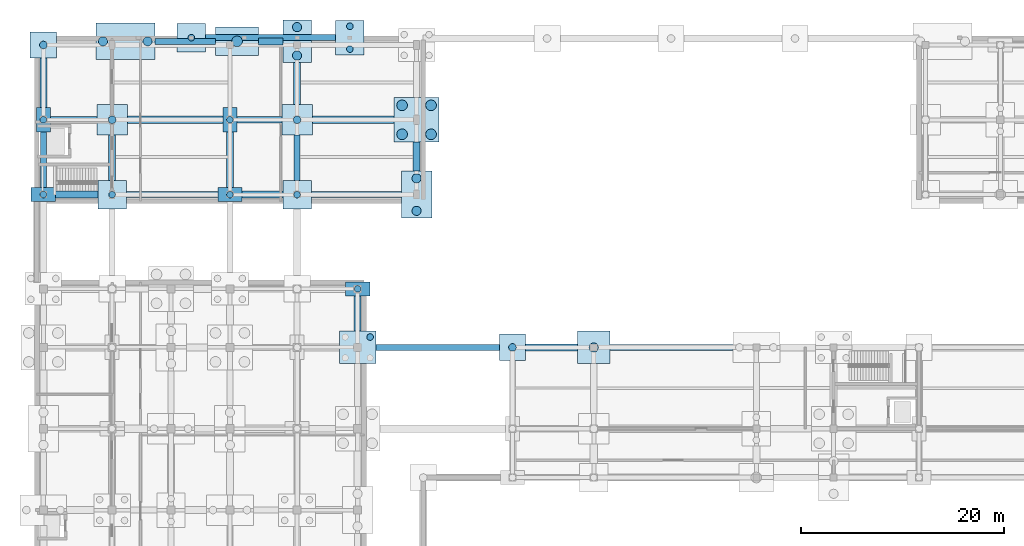
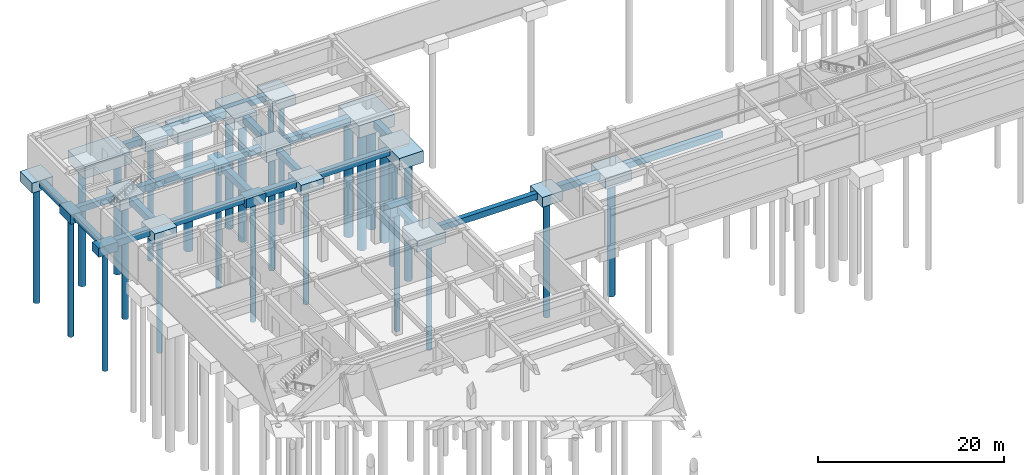
# One storey, part 5 of 35: 42 footings, 27 piles.
"""IFC4 building model written with IfcOpenShell, lengths in metres."""

from ifc_helpers import new_model, si_unit, direction, frame, origin, origin_2d, place, context, subcontext, project, spatial, polyline, rectangle, circle, outline, extrude, material, layer, layer_set, material_profile, profile_set, type_object, element, save


model = new_model("IFC4")

# Units and contexts
model_context = context("Model", 3, precision=1e-05, world=origin(), true_north=direction((0.0, 1.0)))
body_context = subcontext(model_context, "Body", "Model", "MODEL_VIEW")
ifc_project = project(units=[si_unit("LENGTHUNIT", "METRE"), si_unit("AREAUNIT", "SQUARE_METRE"), si_unit("VOLUMEUNIT", "CUBIC_METRE"), si_unit("PLANEANGLEUNIT", "RADIAN"), si_unit("MASSUNIT", "GRAM", prefix="KILO")], contexts=[model_context])

# Site, building, storey
site_placement = place(None, origin())
site = spatial("IfcSite", under=ifc_project, at=site_placement, CompositionType="ELEMENT")
building_placement = place(site_placement, origin())
building = spatial("IfcBuilding", under=site, at=building_placement, Name="Cinchona Park Media Centre", CompositionType="ELEMENT")
storey_placement = place(building_placement, frame((0.0, 0.0, -4.800048828125)))
storey = spatial("IfcBuildingStorey", under=building, at=storey_placement, Name="B1", CompositionType="ELEMENT", Elevation=-4.800048828125)

# Footings
ifc_material_1 = material(Name="Concrete C40/50", Category="concrete")
ifc_layer_1 = layer(ifc_material_1, 0.800048828125)
ifc_layer_set_1 = layer_set([ifc_layer_1], Name="Concrete C40/50")
footing_type_1 = type_object("IfcFootingType", Name="FTG-BEAM-FB01", PredefinedType="FOOTING_BEAM", material=ifc_layer_set_1)
footing_1_placement = place(storey_placement, frame((0.0, 0.0, -1.25)))
element("IfcFooting", 1, at=footing_1_placement, inside=storey, type_object=footing_type_1, Name="Ground Tie Beam FB01", PredefinedType="FOOTING_BEAM", context=body_context, shape_type="SweptSolid", body=[
    extrude(outline(polyline([(41.360107421875, 87.300048828125), (53.5, 87.300048828125), (53.5, 87.89990234375), (41.360107421875, 87.89990234375), (41.360107421875, 87.300048828125)])), origin(), (0.0, 0.0, 1.0), 0.800048828125),
])
footing_2_placement = place(storey_placement, frame((0.0, 0.0, -1.199951171875)))
element("IfcFooting", 2, at=footing_2_placement, inside=storey, type_object=footing_type_1, Name="Ground Tie Beam FB01", PredefinedType="FOOTING_BEAM", context=body_context, shape_type="SweptSolid", body=[
    extrude(outline(polyline([(64.39990234375, 87.300048828125), (76.5, 87.300048828125), (76.5, 87.89990234375), (64.39990234375, 87.89990234375), (64.39990234375, 87.300048828125)])), origin(), (0.0, 0.0, 1.0), 0.800048828125),
])
footing_3_placement = place(storey_placement, frame((0.0, 0.0, -1.224853515625)))
element("IfcFooting", 3, at=footing_3_placement, inside=storey, type_object=footing_type_1, Name="Ground Tie Beam FB01", PredefinedType="FOOTING_BEAM", context=body_context, shape_type="SweptSolid", body=[
    extrude(outline(polyline([(16.800048828125, 102.340087890625), (25.800048828125, 102.340087890625), (25.800048828125, 102.93994140625), (16.800048828125, 102.93994140625), (16.800048828125, 102.340087890625)])), origin(), (0.0, 0.0, 1.0), 0.7998046875),
])
footing_4_placement = place(storey_placement, frame((0.0, 0.0, -1.224853515625)))
element("IfcFooting", 4, at=footing_4_placement, inside=storey, type_object=footing_type_1, Name="Ground Tie Beam FB01", PredefinedType="FOOTING_BEAM", context=body_context, shape_type="SweptSolid", body=[
    extrude(outline(polyline([(35.0, 102.340087890625), (43.860107421875, 102.340087890625), (43.860107421875, 102.93994140625), (35.0, 102.93994140625), (35.0, 102.340087890625)])), origin(), (0.0, 0.0, 1.0), 0.7998046875),
])
footing_5_placement = place(storey_placement, frame((0.0, 0.0, -1.224853515625)))
element("IfcFooting", 5, at=footing_5_placement, inside=storey, type_object=footing_type_1, Name="Ground Tie Beam FB01", PredefinedType="FOOTING_BEAM", context=body_context, shape_type="SweptSolid", body=[
    extrude(outline(polyline([(9.340087890625, 109.699951171875), (13.89990234375, 109.699951171875), (13.89990234375, 110.300048828125), (9.340087890625, 110.300048828125), (9.340087890625, 109.699951171875)])), origin(), (0.0, 0.0, 1.0), 0.7998046875),
])
footing_6_placement = place(storey_placement, frame((0.0, 0.0, -1.224853515625)))
element("IfcFooting", 6, at=footing_6_placement, inside=storey, type_object=footing_type_1, Name="Ground Tie Beam FB01", PredefinedType="FOOTING_BEAM", context=body_context, shape_type="SweptSolid", body=[
    extrude(outline(polyline([(27.699951171875, 109.699951171875), (32.10009765625, 109.699951171875), (32.10009765625, 110.300048828125), (27.699951171875, 110.300048828125), (27.699951171875, 109.699951171875)])), origin(), (0.0, 0.0, 1.0), 0.7998046875),
])
footing_7_placement = place(storey_placement, frame((0.0, 0.0, -1.224853515625)))
element("IfcFooting", 7, at=footing_7_placement, inside=storey, type_object=footing_type_1, Name="Ground Tie Beam FB01", PredefinedType="FOOTING_BEAM", context=body_context, shape_type="SweptSolid", body=[
    extrude(outline(polyline([(19.60009765625, 117.419921875), (25.60009765625, 117.419921875), (25.60009765625, 118.02001953125), (19.60009765625, 118.02001953125), (19.60009765625, 117.419921875)])), origin(), (0.0, 0.0, 1.0), 0.7998046875),
])
footing_8_placement = place(storey_placement, frame((0.0, 0.0, -1.224853515625)))
element("IfcFooting", 8, at=footing_8_placement, inside=storey, type_object=footing_type_1, Name="Ground Tie Beam FB01", PredefinedType="FOOTING_BEAM", context=body_context, shape_type="SweptSolid", body=[
    extrude(outline(polyline([(24.60009765625, 117.780029296875), (37.39990234375, 117.780029296875), (37.39990234375, 118.3798828125), (24.60009765625, 118.3798828125), (24.60009765625, 117.780029296875)])), origin(), (0.0, 0.0, 1.0), 0.7998046875),
])
footing_9_placement = place(storey_placement, frame((0.0, 0.0, -1.224853515625)))
element("IfcFooting", 9, at=footing_9_placement, inside=storey, type_object=footing_type_1, Name="Ground Tie Beam FB01", PredefinedType="FOOTING_BEAM", context=body_context, shape_type="SweptSolid", body=[
    extrude(outline(polyline([(8.340087890625, 103.340087890625), (8.93994140625, 103.340087890625), (8.93994140625, 108.800048828125), (8.340087890625, 108.800048828125), (8.340087890625, 103.340087890625)])), origin(), (0.0, 0.0, 1.0), 0.7998046875),
])
footing_10_placement = place(storey_placement, frame((0.0, 0.0, -1.224853515625)))
element("IfcFooting", 10, at=footing_10_placement, inside=storey, type_object=footing_type_1, Name="Ground Tie Beam FB01", PredefinedType="FOOTING_BEAM", context=body_context, shape_type="SweptSolid", body=[
    extrude(outline(polyline([(33.300048828125, 104.0400390625), (33.89990234375, 104.0400390625), (33.89990234375, 108.5), (33.300048828125, 108.5), (33.300048828125, 104.0400390625)])), origin(), (0.0, 0.0, 1.0), 0.7998046875),
])
ifc_material_2 = material(Name="Concrete C40/50", Category="concrete")
ifc_layer_2 = layer(ifc_material_2, 0.89990234375)
ifc_layer_set_2 = layer_set([ifc_layer_2], Name="Concrete C40/50")
footing_type_2 = type_object("IfcFootingType", Name="FTG-BEAM-FB02", PredefinedType="FOOTING_BEAM", material=ifc_layer_set_2)
footing_11_placement = place(storey_placement, frame((0.0, 0.0, -1.300048828125)))
element("IfcFooting", 11, at=footing_11_placement, inside=storey, type_object=footing_type_2, Name="Ground Tie Beam FB02", PredefinedType="FOOTING_BEAM", context=body_context, shape_type="SweptSolid", body=[
    extrude(outline(polyline([(56.10009765625, 87.25), (61.199951171875, 87.25), (61.199951171875, 87.949951171875), (56.10009765625, 87.949951171875), (56.10009765625, 87.25)])), origin(), (0.0, 0.0, 1.0), 0.900146484375),
])
footing_12_placement = place(storey_placement, frame((0.0, 0.0, -1.324951171875)))
element("IfcFooting", 12, at=footing_12_placement, inside=storey, type_object=footing_type_2, Name="Ground Tie Beam FB02", PredefinedType="FOOTING_BEAM", context=body_context, shape_type="SweptSolid", body=[
    extrude(outline(polyline([(9.840087890625, 102.2900390625), (14.0, 102.2900390625), (14.0, 102.989990234375), (9.840087890625, 102.989990234375), (9.840087890625, 102.2900390625)])), origin(), (0.0, 0.0, 1.0), 0.89990234375),
])
footing_13_placement = place(storey_placement, frame((0.0, 0.0, -1.324951171875)))
element("IfcFooting", 13, at=footing_13_placement, inside=storey, type_object=footing_type_2, Name="Ground Tie Beam FB02", PredefinedType="FOOTING_BEAM", context=body_context, shape_type="SweptSolid", body=[
    extrude(outline(polyline([(28.199951171875, 102.2900390625), (32.199951171875, 102.2900390625), (32.199951171875, 102.989990234375), (28.199951171875, 102.989990234375), (28.199951171875, 102.2900390625)])), origin(), (0.0, 0.0, 1.0), 0.89990234375),
])
footing_14_placement = place(storey_placement, frame((0.0, 0.0, -1.324951171875)))
element("IfcFooting", 14, at=footing_14_placement, inside=storey, type_object=footing_type_2, Name="Ground Tie Beam FB02", PredefinedType="FOOTING_BEAM", context=body_context, shape_type="SweptSolid", body=[
    extrude(outline(polyline([(16.89990234375, 109.64990234375), (26.300048828125, 109.64990234375), (26.300048828125, 110.35009765625), (16.89990234375, 110.35009765625), (16.89990234375, 109.64990234375)])), origin(), (0.0, 0.0, 1.0), 0.89990234375),
])
footing_15_placement = place(storey_placement, frame((0.0, 0.0, -1.324951171875)))
element("IfcFooting", 15, at=footing_15_placement, inside=storey, type_object=footing_type_2, Name="Ground Tie Beam FB02", PredefinedType="FOOTING_BEAM", context=body_context, shape_type="SweptSolid", body=[
    extrude(outline(polyline([(35.10009765625, 109.64990234375), (43.159912109375, 109.64990234375), (43.159912109375, 110.35009765625), (35.10009765625, 110.35009765625), (35.10009765625, 109.64990234375)])), origin(), (0.0, 0.0, 1.0), 0.89990234375),
])
footing_16_placement = place(storey_placement, frame((0.0, 0.0, -1.324951171875)))
element("IfcFooting", 16, at=footing_16_placement, inside=storey, type_object=footing_type_2, Name="Ground Tie Beam FB02", PredefinedType="FOOTING_BEAM", context=body_context, shape_type="SweptSolid", body=[
    extrude(outline(polyline([(29.800048828125, 117.3701171875), (32.199951171875, 117.3701171875), (32.199951171875, 118.070068359375), (29.800048828125, 118.070068359375), (29.800048828125, 117.3701171875)])), origin(), (0.0, 0.0, 1.0), 0.89990234375),
])
footing_17_placement = place(storey_placement, frame((0.0, 0.0, -1.324951171875)))
element("IfcFooting", 17, at=footing_17_placement, inside=storey, type_object=footing_type_2, Name="Ground Tie Beam FB02", PredefinedType="FOOTING_BEAM", context=body_context, shape_type="SweptSolid", body=[
    extrude(outline(polyline([(8.2900390625, 111.199951171875), (8.989990234375, 111.199951171875), (8.989990234375, 116.06005859375), (8.2900390625, 116.06005859375), (8.2900390625, 111.199951171875)])), origin(), (0.0, 0.0, 1.0), 0.89990234375),
])
footing_18_placement = place(storey_placement, frame((0.0, 0.0, -1.324951171875)))
element("IfcFooting", 18, at=footing_18_placement, inside=storey, type_object=footing_type_2, Name="Ground Tie Beam FB02", PredefinedType="FOOTING_BEAM", context=body_context, shape_type="SweptSolid", body=[
    extrude(outline(polyline([(15.050048828125, 104.0400390625), (15.75, 104.0400390625), (15.75, 108.5), (15.050048828125, 108.5), (15.050048828125, 104.0400390625)])), origin(), (0.0, 0.0, 1.0), 0.89990234375),
])
footing_19_placement = place(storey_placement, frame((0.0, 0.0, -1.324951171875)))
element("IfcFooting", 19, at=footing_19_placement, inside=storey, type_object=footing_type_2, Name="Ground Tie Beam FB02", PredefinedType="FOOTING_BEAM", context=body_context, shape_type="SweptSolid", body=[
    extrude(outline(polyline([(26.64990234375, 103.340087890625), (27.35009765625, 103.340087890625), (27.35009765625, 108.800048828125), (26.64990234375, 108.800048828125), (26.64990234375, 103.340087890625)])), origin(), (0.0, 0.0, 1.0), 0.89990234375),
])
footing_20_placement = place(storey_placement, frame((0.0, 0.0, -1.324951171875)))
element("IfcFooting", 20, at=footing_20_placement, inside=storey, type_object=footing_type_2, Name="Ground Tie Beam FB02", PredefinedType="FOOTING_BEAM", context=body_context, shape_type="SweptSolid", body=[
    extrude(outline(polyline([(33.25, 111.5), (33.949951171875, 111.5), (33.949951171875, 115.6201171875), (33.25, 115.6201171875), (33.25, 111.5)])), origin(), (0.0, 0.0, 1.0), 0.89990234375),
])
footing_21_placement = place(storey_placement, frame((0.0, 0.0, -1.349853515625)))
element("IfcFooting", 21, at=footing_21_placement, inside=storey, type_object=footing_type_2, Name="Ground Tie Beam FB02", PredefinedType="FOOTING_BEAM", context=body_context, shape_type="SweptSolid", body=[
    extrude(outline(polyline([(39.2099609375, 89.199951171875), (39.909912109375, 89.199951171875), (39.909912109375, 92.659912109375), (39.2099609375, 92.659912109375), (39.2099609375, 89.199951171875)])), origin(), (0.0, 0.0, 1.0), 0.89990234375),
])
footing_22_placement = place(storey_placement, frame((0.0, 0.0, -1.324951171875)))
element("IfcFooting", 22, at=footing_22_placement, inside=storey, type_object=footing_type_2, Name="Ground Tie Beam FB02", PredefinedType="FOOTING_BEAM", context=body_context, shape_type="SweptSolid", body=[
    extrude(outline(polyline([(45.010009765625, 104.93994140625), (45.7099609375, 104.93994140625), (45.7099609375, 107.800048828125), (45.010009765625, 107.800048828125), (45.010009765625, 104.93994140625)])), origin(), (0.0, 0.0, 1.0), 0.89990234375),
])

# Piles
ifc_material_3 = material(Name="Concrete C40/50", Category="concrete")
ifc_material_profile_1 = material_profile(ifc_material_3, circle(Radius=0.52490234375, at=origin_2d()), Name="BORED PILE 1050")
ifc_profile_set_1 = profile_set([ifc_material_profile_1], Name="Concrete C40/50")
pile_type_1 = type_object("IfcPileType", Name="PILE-BP1050", PredefinedType="BORED", material=ifc_profile_set_1)
pile_1_placement = place(storey_placement, frame((27.699951171875, 117.719970703125, -1.824951171875), z_axis=(0.0, 0.0, -1.0), x_axis=(1.0, 0.0, 0.0)))
element("IfcPile", 23, at=pile_1_placement, inside=storey, type_object=pile_type_1, Name="Bored Pile P1050", PredefinedType="BORED", context=body_context, shape_type="SweptSolid", body=[
    extrude(circle(Radius=0.52490234375, at=origin_2d()), origin(), (0.0, 0.0, 1.0), 15.375),
])
for number, where, z_axis, x_axis, name in (
    (24, (43.93505859375, 108.574951171875, -1.925048828125), (0.0, 0.0, -1.0), (1.0, 0.0, 0.0), "Bored Pile P1050"),
    (25, (43.93505859375, 111.425048828125, -1.925048828125), (0.0, 0.0, -1.0), (1.0, 0.0, 0.0), "Bored Pile P1050"),
    (26, (46.784912109375, 108.574951171875, -1.925048828125), (0.0, 0.0, -1.0), (1.0, 0.0, 0.0), "Bored Pile P1050"),
    (27, (46.784912109375, 111.425048828125, -1.925048828125), (0.0, 0.0, -1.0), (1.0, 0.0, 0.0), "Bored Pile P1050"),
):
    element("IfcPile", number, at=place(storey_placement, frame(where, z_axis=z_axis, x_axis=x_axis)), inside=storey, type_object=pile_type_1, Name=name, PredefinedType="BORED", context=body_context, shape_type="SweptSolid", body=[
        extrude(circle(Radius=0.52490234375, at=origin_2d()), origin(), (0.0, 0.0, 1.0), 15.27490234375),
    ])
ifc_material_4 = material(Name="Concrete C40/50", Category="concrete")
ifc_material_profile_2 = material_profile(ifc_material_4, circle(Radius=0.324951171875, at=origin_2d()), Name="BORED PILE 650")
ifc_profile_set_2 = profile_set([ifc_material_profile_2], Name="Concrete C40/50")
pile_type_2 = type_object("IfcPileType", Name="PILE-BP650", PredefinedType="BORED", material=ifc_profile_set_2)
for number, where, z_axis, x_axis, name in (
    (28, (8.639892578125, 102.639892578125, -1.52490234375), (0.0, 0.0, -1.0), (1.0, 0.0, 0.0), "Bored Pile P650"),
    (29, (8.639892578125, 110.0, -1.52490234375), (0.0, 0.0, -1.0), (1.0, 0.0, 0.0), "Bored Pile P650"),
):
    element("IfcPile", number, at=place(storey_placement, frame(where, z_axis=z_axis, x_axis=x_axis)), inside=storey, type_object=pile_type_2, Name=name, PredefinedType="BORED", context=body_context, shape_type="SweptSolid", body=[
        extrude(circle(Radius=0.324951171875, at=origin_2d()), origin(), (0.0, 0.0, 1.0), 15.675048828125),
    ])
for number, where, z_axis, x_axis, name in (
    (30, (15.39990234375, 102.639892578125, -1.675048828125), (0.0, 0.0, -1.0), (1.0, 0.0, 0.0), "Bored Pile P650"),
    (31, (23.199951171875, 118.080078125, -1.675048828125), (0.0, 0.0, -1.0), (1.0, 0.0, 0.0), "Bored Pile P650"),
):
    element("IfcPile", number, at=place(storey_placement, frame(where, z_axis=z_axis, x_axis=x_axis)), inside=storey, type_object=pile_type_2, Name=name, PredefinedType="BORED", context=body_context, shape_type="SweptSolid", body=[
        extrude(circle(Radius=0.324951171875, at=origin_2d()), origin(), (0.0, 0.0, 1.0), 15.52490234375),
    ])
for number, where, z_axis, x_axis, name in (
    (32, (27.0, 102.639892578125, -1.52490234375), (0.0, 0.0, -1.0), (1.0, 0.0, 0.0), "Bored Pile P650"),
    (33, (27.0, 110.0, -1.52490234375), (0.0, 0.0, -1.0), (1.0, 0.0, 0.0), "Bored Pile P650"),
):
    element("IfcPile", number, at=place(storey_placement, frame(where, z_axis=z_axis, x_axis=x_axis)), inside=storey, type_object=pile_type_2, Name=name, PredefinedType="BORED", context=body_context, shape_type="SweptSolid", body=[
        extrude(circle(Radius=0.324951171875, at=origin_2d()), origin(), (0.0, 0.0, 1.0), 15.675048828125),
    ])
pile_2_placement = place(storey_placement, frame((33.60009765625, 102.639892578125, -1.675048828125), z_axis=(0.0, 0.0, -1.0), x_axis=(1.0, 0.0, 0.0)))
element("IfcPile", 34, at=pile_2_placement, inside=storey, type_object=pile_type_2, Name="Bored Pile P650", PredefinedType="BORED", context=body_context, shape_type="SweptSolid", body=[
    extrude(circle(Radius=0.324951171875, at=origin_2d()), origin(), (0.0, 0.0, 1.0), 15.52490234375),
])
for number, where, z_axis, x_axis, name in (
    (35, (38.800048828125, 116.955078125, -1.724853515625), (0.0, 0.0, -1.0), (1.0, 0.0, 0.0), "Bored Pile P650"),
    (36, (38.800048828125, 119.205078125, -1.724853515625), (0.0, 0.0, -1.0), (1.0, 0.0, 0.0), "Bored Pile P650"),
):
    element("IfcPile", number, at=place(storey_placement, frame(where, z_axis=z_axis, x_axis=x_axis)), inside=storey, type_object=pile_type_2, Name=name, PredefinedType="BORED", context=body_context, shape_type="SweptSolid", body=[
        extrude(circle(Radius=0.324951171875, at=origin_2d()), origin(), (0.0, 0.0, 1.0), 15.47509765625),
    ])
pile_3_placement = place(storey_placement, frame((40.784912109375, 88.625, -1.829833984375), z_axis=(0.0, 0.0, -1.0), x_axis=(1.0, 0.0, 0.0)))
element("IfcPile", 37, at=pile_3_placement, inside=storey, type_object=pile_type_2, Name="Bored Pile P650", PredefinedType="BORED", context=body_context, shape_type="SweptSolid", body=[
    extrude(circle(Radius=0.324951171875, at=origin_2d()), origin(), (0.0, 0.0, 1.0), 15.3701171875),
])
pile_4_placement = place(storey_placement, frame((39.56005859375, 93.360107421875, -1.550048828125), z_axis=(0.0, 0.0, -1.0), x_axis=(1.0, 0.0, 0.0)))
element("IfcPile", 38, at=pile_4_placement, inside=storey, type_object=pile_type_2, Name="Bored Pile P650", PredefinedType="BORED", context=body_context, shape_type="SweptSolid", body=[
    extrude(circle(Radius=0.324951171875, at=origin_2d()), origin(), (0.0, 0.0, 1.0), 15.64990234375),
])
ifc_material_5 = material(Name="Concrete C40/50", Category="concrete")
ifc_material_profile_3 = material_profile(ifc_material_5, circle(Radius=0.375, at=origin_2d()), Name="BORED PILE 750")
ifc_profile_set_3 = profile_set([ifc_material_profile_3], Name="Concrete C40/50")
pile_type_3 = type_object("IfcPileType", Name="PILE-BP750", PredefinedType="BORED", material=ifc_profile_set_3)
pile_5_placement = place(storey_placement, frame((8.639892578125, 117.360107421875, -1.625), z_axis=(0.0, 0.0, -1.0), x_axis=(1.0, 0.0, 0.0)))
element("IfcPile", 39, at=pile_5_placement, inside=storey, type_object=pile_type_3, Name="Bored Pile P750", PredefinedType="BORED", context=body_context, shape_type="SweptSolid", body=[
    extrude(circle(Radius=0.375, at=origin_2d()), origin(), (0.0, 0.0, 1.0), 15.574951171875),
])
for number, where, z_axis, x_axis, name in (
    (40, (15.39990234375, 110.0, -1.724853515625), (0.0, 0.0, -1.0), (1.0, 0.0, 0.0), "Bored Pile P750"),
    (41, (33.60009765625, 110.0, -1.724853515625), (0.0, 0.0, -1.0), (1.0, 0.0, 0.0), "Bored Pile P750"),
):
    element("IfcPile", number, at=place(storey_placement, frame(where, z_axis=z_axis, x_axis=x_axis)), inside=storey, type_object=pile_type_3, Name=name, PredefinedType="BORED", context=body_context, shape_type="SweptSolid", body=[
        extrude(circle(Radius=0.375, at=origin_2d()), origin(), (0.0, 0.0, 1.0), 15.47509765625),
    ])
pile_6_placement = place(storey_placement, frame((54.800048828125, 87.60009765625, -1.599853515625), z_axis=(0.0, 0.0, -1.0), x_axis=(1.0, 0.0, 0.0)))
element("IfcPile", 42, at=pile_6_placement, inside=storey, type_object=pile_type_3, Name="Bored Pile P750", PredefinedType="BORED", context=body_context, shape_type="SweptSolid", body=[
    extrude(circle(Radius=0.375, at=origin_2d()), origin(), (0.0, 0.0, 1.0), 15.60009765625),
])
ifc_material_6 = material(Name="Concrete C40/50", Category="concrete")
ifc_material_profile_4 = material_profile(ifc_material_6, circle(Radius=0.449951171875, at=origin_2d()), Name="BORED PILE 900")
ifc_profile_set_4 = profile_set([ifc_material_profile_4], Name="Concrete C40/50")
pile_type_4 = type_object("IfcPileType", Name="PILE-BP900", PredefinedType="BORED", material=ifc_profile_set_4)
for number, where, z_axis, x_axis, name in (
    (43, (14.5, 117.719970703125, -1.925048828125), (0.0, 0.0, -1.0), (1.0, 0.0, 0.0), "Bored Pile P900"),
    (44, (18.89990234375, 117.719970703125, -1.925048828125), (0.0, 0.0, -1.0), (1.0, 0.0, 0.0), "Bored Pile P900"),
):
    element("IfcPile", number, at=place(storey_placement, frame(where, z_axis=z_axis, x_axis=x_axis)), inside=storey, type_object=pile_type_4, Name=name, PredefinedType="BORED", context=body_context, shape_type="SweptSolid", body=[
        extrude(circle(Radius=0.449951171875, at=origin_2d()), origin(), (0.0, 0.0, 1.0), 15.27490234375),
    ])
for number, where, z_axis, x_axis, name in (
    (45, (33.60009765625, 116.320068359375, -1.824951171875), (0.0, 0.0, -1.0), (1.0, 0.0, 0.0), "Bored Pile P900"),
    (46, (33.60009765625, 119.1201171875, -1.824951171875), (0.0, 0.0, -1.0), (1.0, 0.0, 0.0), "Bored Pile P900"),
):
    element("IfcPile", number, at=place(storey_placement, frame(where, z_axis=z_axis, x_axis=x_axis)), inside=storey, type_object=pile_type_4, Name=name, PredefinedType="BORED", context=body_context, shape_type="SweptSolid", body=[
        extrude(circle(Radius=0.449951171875, at=origin_2d()), origin(), (0.0, 0.0, 1.0), 15.375),
    ])
for number, where, z_axis, x_axis, name in (
    (47, (45.360107421875, 101.0400390625, -1.875), (0.0, 0.0, -1.0), (1.0, 0.0, 0.0), "Bored Pile P900"),
    (48, (45.360107421875, 104.239990234375, -1.875), (0.0, 0.0, -1.0), (1.0, 0.0, 0.0), "Bored Pile P900"),
):
    element("IfcPile", number, at=place(storey_placement, frame(where, z_axis=z_axis, x_axis=x_axis)), inside=storey, type_object=pile_type_4, Name=name, PredefinedType="BORED", context=body_context, shape_type="SweptSolid", body=[
        extrude(circle(Radius=0.449951171875, at=origin_2d()), origin(), (0.0, 0.0, 1.0), 15.324951171875),
    ])
pile_7_placement = place(storey_placement, frame((62.800048828125, 87.60009765625, -1.75), z_axis=(0.0, 0.0, -1.0), x_axis=(1.0, 0.0, 0.0)))
element("IfcPile", 49, at=pile_7_placement, inside=storey, type_object=pile_type_4, Name="Bored Pile P900", PredefinedType="BORED", context=body_context, shape_type="SweptSolid", body=[
    extrude(circle(Radius=0.449951171875, at=origin_2d()), origin(), (0.0, 0.0, 1.0), 15.449951171875),
])

# Footings
ifc_material_7 = material(Name="Concrete C40/50", Category="concrete")
ifc_layer_3 = layer(ifc_material_7, 1.199951171875)
ifc_layer_set_3 = layer_set([ifc_layer_3], Name="Concrete C40/50")
footing_type_3 = type_object("IfcFootingType", Name="PILE-CAP-PC01", PredefinedType="PILE_CAP", material=ifc_layer_set_3)
for number, where, z_axis, x_axis, name in (
    (50, (8.639892578125, 102.639892578125, -1.625), (0.0, 0.0, 1.0), (1.0, 0.0, 0.0), "Pile Cap PC01"),
    (51, (27.0, 102.639892578125, -1.625), (0.0, 0.0, 1.0), (1.0, 0.0, 0.0), "Pile Cap PC01"),
    (52, (39.56005859375, 93.360107421875, -1.64990234375), (0.0, 0.0, 1.0), (1.0, 0.0, 0.0), "Pile Cap PC01"),
):
    element("IfcFooting", number, at=place(storey_placement, frame(where, z_axis=z_axis, x_axis=x_axis)), inside=storey, type_object=footing_type_3, Name=name, PredefinedType="PILE_CAP", context=body_context, shape_type="SweptSolid", body=[
        extrude(rectangle(XDim=2.39990234375, YDim=1.39990234375, at=origin_2d()), origin(), (0.0, 0.0, 1.0), 1.199951171875),
    ])
ifc_material_8 = material(Name="Concrete C40/50", Category="concrete")
ifc_layer_4 = layer(ifc_material_8, 1.199951171875)
ifc_layer_set_4 = layer_set([ifc_layer_4], Name="Concrete C40/50")
footing_type_4 = type_object("IfcFootingType", Name="PILE-CAP-PC02", PredefinedType="PILE_CAP", material=ifc_layer_set_4)
for number, where, z_axis, x_axis, name in (
    (53, (8.639892578125, 110.0, -1.625), (0.0, 0.0, 1.0), (1.0, 0.0, 0.0), "Pile Cap PC02"),
    (54, (27.0, 110.0, -1.625), (0.0, 0.0, 1.0), (1.0, 0.0, 0.0), "Pile Cap PC02"),
):
    element("IfcFooting", number, at=place(storey_placement, frame(where, z_axis=z_axis, x_axis=x_axis)), inside=storey, type_object=footing_type_4, Name=name, PredefinedType="PILE_CAP", context=body_context, shape_type="SweptSolid", body=[
        extrude(rectangle(XDim=1.39990234375, YDim=2.39990234375, at=origin_2d()), origin(), (0.0, 0.0, 1.0), 1.199951171875),
    ])
ifc_material_9 = material(Name="Concrete C40/50", Category="concrete")
ifc_layer_5 = layer(ifc_material_9, 1.300048828125)
ifc_layer_set_5 = layer_set([ifc_layer_5], Name="Concrete C40/50")
footing_type_5 = type_object("IfcFootingType", Name="PILE-CAP-PC03", PredefinedType="PILE_CAP", material=ifc_layer_set_5)
for number, where, z_axis, x_axis, name in (
    (55, (8.639892578125, 117.360107421875, -1.72509765625), (0.0, 0.0, 1.0), (1.0, 0.0, 0.0), "Pile Cap PC03"),
    (56, (54.800048828125, 87.60009765625, -1.7001953125), (0.0, 0.0, 1.0), (1.0, 0.0, 0.0), "Pile Cap PC03"),
):
    element("IfcFooting", number, at=place(storey_placement, frame(where, z_axis=z_axis, x_axis=x_axis)), inside=storey, type_object=footing_type_5, Name=name, PredefinedType="PILE_CAP", context=body_context, shape_type="SweptSolid", body=[
        extrude(rectangle(XDim=2.60009765625, YDim=2.60009765625, at=origin_2d()), origin(), (0.0, 0.0, 1.0), 1.300048828125),
    ])
ifc_material_10 = material(Name="Concrete C40/50", Category="concrete")
ifc_layer_6 = layer(ifc_material_10, 1.35009765625)
ifc_layer_set_6 = layer_set([ifc_layer_6], Name="Concrete C40/50")
footing_type_6 = type_object("IfcFootingType", Name="PILE-CAP-PC04", PredefinedType="PILE_CAP", material=ifc_layer_set_6)
for number, where, z_axis, x_axis, name in (
    (57, (15.39990234375, 102.639892578125, -1.77490234375), (0.0, 0.0, 1.0), (1.0, 0.0, 0.0), "Pile Cap PC04"),
    (58, (23.199951171875, 118.080078125, -1.77490234375), (0.0, 0.0, 1.0), (1.0, 0.0, 0.0), "Pile Cap PC04"),
    (59, (33.60009765625, 102.639892578125, -1.77490234375), (0.0, 0.0, 1.0), (1.0, 0.0, 0.0), "Pile Cap PC04"),
):
    element("IfcFooting", number, at=place(storey_placement, frame(where, z_axis=z_axis, x_axis=x_axis)), inside=storey, type_object=footing_type_6, Name=name, PredefinedType="PILE_CAP", context=body_context, shape_type="SweptSolid", body=[
        extrude(rectangle(XDim=2.800048828125, YDim=2.800048828125, at=origin_2d()), origin(), (0.0, 0.0, 1.0), 1.35009765625),
    ])
ifc_material_11 = material(Name="Concrete C40/50", Category="concrete")
ifc_layer_7 = layer(ifc_material_11, 1.39990234375)
ifc_layer_set_7 = layer_set([ifc_layer_7], Name="Concrete C40/50")
footing_type_7 = type_object("IfcFootingType", Name="PILE-CAP-PC05", PredefinedType="PILE_CAP", material=ifc_layer_set_7)
for number, where, z_axis, x_axis, name in (
    (60, (15.39990234375, 110.0, -1.824951171875), (0.0, 0.0, 1.0), (1.0, 0.0, 0.0), "Pile Cap PC05"),
    (61, (33.60009765625, 110.0, -1.824951171875), (0.0, 0.0, 1.0), (1.0, 0.0, 0.0), "Pile Cap PC05"),
):
    element("IfcFooting", number, at=place(storey_placement, frame(where, z_axis=z_axis, x_axis=x_axis)), inside=storey, type_object=footing_type_7, Name=name, PredefinedType="PILE_CAP", context=body_context, shape_type="SweptSolid", body=[
        extrude(rectangle(XDim=3.0, YDim=3.0, at=origin_2d()), origin(), (0.0, 0.0, 1.0), 1.39990234375),
    ])
ifc_material_12 = material(Name="Concrete C40/50", Category="concrete")
ifc_layer_8 = layer(ifc_material_12, 1.449951171875)
ifc_layer_set_8 = layer_set([ifc_layer_8], Name="Concrete C40/50")
footing_type_8 = type_object("IfcFootingType", Name="PILE-CAP-PC06", PredefinedType="PILE_CAP", material=ifc_layer_set_8)
footing_23_placement = place(storey_placement, frame((62.800048828125, 87.60009765625, -1.85009765625), z_axis=(0.0, 0.0, 1.0), x_axis=(1.0, 0.0, 0.0)))
element("IfcFooting", 62, at=footing_23_placement, inside=storey, type_object=footing_type_8, Name="Pile Cap PC06", PredefinedType="PILE_CAP", context=body_context, shape_type="SweptSolid", body=[
    extrude(rectangle(XDim=3.199951171875, YDim=3.199951171875, at=origin_2d()), origin(), (0.0, 0.0, 1.0), 1.449951171875),
])
ifc_material_13 = material(Name="Concrete C40/50", Category="concrete")
ifc_layer_9 = layer(ifc_material_13, 1.39990234375)
ifc_layer_set_9 = layer_set([ifc_layer_9], Name="Concrete C40/50")
footing_type_9 = type_object("IfcFootingType", Name="PILE-CAP-PC08", PredefinedType="PILE_CAP", material=ifc_layer_set_9)
footing_24_placement = place(storey_placement, frame((38.800048828125, 118.080078125, -1.824951171875), z_axis=(0.0, 0.0, 1.0), x_axis=(1.0, 0.0, 0.0)))
element("IfcFooting", 63, at=footing_24_placement, inside=storey, type_object=footing_type_9, Name="Pile Cap PC08", PredefinedType="PILE_CAP", context=body_context, shape_type="SweptSolid", body=[
    extrude(rectangle(XDim=2.800048828125, YDim=3.39990234375, at=origin_2d()), origin(), (0.0, 0.0, 1.0), 1.39990234375),
])
ifc_material_14 = material(Name="Concrete C40/50", Category="concrete")
ifc_layer_10 = layer(ifc_material_14, 1.5)
ifc_layer_set_10 = layer_set([ifc_layer_10], Name="Concrete C40/50")
footing_type_10 = type_object("IfcFootingType", Name="PILE-CAP-PC09", PredefinedType="PILE_CAP", material=ifc_layer_set_10)
footing_25_placement = place(storey_placement, frame((27.699951171875, 117.719970703125, -1.925048828125), z_axis=(0.0, 0.0, 1.0), x_axis=(1.0, 0.0, 0.0)))
element("IfcFooting", 64, at=footing_25_placement, inside=storey, type_object=footing_type_10, Name="Pile Cap PC09", PredefinedType="PILE_CAP", context=body_context, shape_type="SweptSolid", body=[
    extrude(rectangle(XDim=4.199951171875, YDim=2.800048828125, at=origin_2d()), origin(), (0.0, 0.0, 1.0), 1.5),
])
ifc_material_15 = material(Name="Concrete C40/50", Category="concrete")
ifc_layer_11 = layer(ifc_material_15, 1.5)
ifc_layer_set_11 = layer_set([ifc_layer_11], Name="Concrete C40/50")
footing_type_11 = type_object("IfcFootingType", Name="PILE-CAP-PC10", PredefinedType="PILE_CAP", material=ifc_layer_set_11)
footing_26_placement = place(storey_placement, frame((33.60009765625, 117.719970703125, -1.925048828125), z_axis=(0.0, 0.0, 1.0), x_axis=(1.0, 0.0, 0.0)))
element("IfcFooting", 65, at=footing_26_placement, inside=storey, type_object=footing_type_11, Name="Pile Cap PC10", PredefinedType="PILE_CAP", context=body_context, shape_type="SweptSolid", body=[
    extrude(rectangle(XDim=2.800048828125, YDim=4.199951171875, at=origin_2d()), origin(), (0.0, 0.0, 1.0), 1.5),
])
ifc_material_16 = material(Name="Concrete C40/50", Category="concrete")
ifc_layer_12 = layer(ifc_material_16, 1.550048828125)
ifc_layer_set_12 = layer_set([ifc_layer_12], Name="Concrete C40/50")
footing_type_12 = type_object("IfcFootingType", Name="PILE-CAP-PC12", PredefinedType="PILE_CAP", material=ifc_layer_set_12)
footing_27_placement = place(storey_placement, frame((45.360107421875, 102.639892578125, -1.97509765625), z_axis=(0.0, 0.0, 1.0), x_axis=(1.0, 0.0, 0.0)))
element("IfcFooting", 66, at=footing_27_placement, inside=storey, type_object=footing_type_12, Name="Pile Cap PC12", PredefinedType="PILE_CAP", context=body_context, shape_type="SweptSolid", body=[
    extrude(rectangle(XDim=3.0, YDim=4.60009765625, at=origin_2d()), origin(), (0.0, 0.0, 1.0), 1.550048828125),
])
ifc_material_17 = material(Name="Concrete C40/50", Category="concrete")
ifc_layer_13 = layer(ifc_material_17, 1.60009765625)
ifc_layer_set_13 = layer_set([ifc_layer_13], Name="Concrete C40/50")
footing_type_13 = type_object("IfcFootingType", Name="PILE-CAP-PC13", PredefinedType="PILE_CAP", material=ifc_layer_set_13)
footing_28_placement = place(storey_placement, frame((45.360107421875, 110.0, -2.02490234375), z_axis=(0.0, 0.0, 1.0), x_axis=(1.0, 0.0, 0.0)))
element("IfcFooting", 67, at=footing_28_placement, inside=storey, type_object=footing_type_13, Name="Pile Cap PC13", PredefinedType="PILE_CAP", context=body_context, shape_type="SweptSolid", body=[
    extrude(rectangle(XDim=4.39990234375, YDim=4.39990234375, at=origin_2d()), origin(), (0.0, 0.0, 1.0), 1.60009765625),
])
ifc_material_18 = material(Name="Concrete C40/50", Category="concrete")
ifc_layer_14 = layer(ifc_material_18, 1.60009765625)
ifc_layer_set_14 = layer_set([ifc_layer_14], Name="Concrete C40/50")
footing_type_14 = type_object("IfcFootingType", Name="PILE-CAP-PC14", PredefinedType="PILE_CAP", material=ifc_layer_set_14)
footing_29_placement = place(storey_placement, frame((16.699951171875, 117.719970703125, -2.02490234375), z_axis=(0.0, 0.0, 1.0), x_axis=(1.0, 0.0, 0.0)))
element("IfcFooting", 68, at=footing_29_placement, inside=storey, type_object=footing_type_14, Name="Pile Cap PC14", PredefinedType="PILE_CAP", context=body_context, shape_type="SweptSolid", body=[
    extrude(rectangle(XDim=5.800048828125, YDim=3.60009765625, at=origin_2d()), origin(), (0.0, 0.0, 1.0), 1.60009765625),
])
ifc_material_19 = material(Name="Concrete C40/50", Category="concrete")
ifc_layer_15 = layer(ifc_material_19, 1.47998046875)
ifc_layer_set_15 = layer_set([ifc_layer_15], Name="Concrete C40/50")
footing_type_15 = type_object("IfcFootingType", Name="PILE-CAP-PC15", PredefinedType="PILE_CAP", material=ifc_layer_set_15)
footing_30_placement = place(storey_placement, frame((39.56005859375, 87.60009765625, -1.929931640625), z_axis=(0.0, 0.0, 1.0), x_axis=(1.0, 0.0, 0.0)))
element("IfcFooting", 69, at=footing_30_placement, inside=storey, type_object=footing_type_15, Name="Pile Cap PC15", PredefinedType="PILE_CAP", context=body_context, shape_type="SweptSolid", body=[
    extrude(rectangle(XDim=3.60009765625, YDim=3.199951171875, at=origin_2d()), origin(), (0.0, 0.0, 1.0), 1.47998046875),
])

save(model, "model.ifc")
